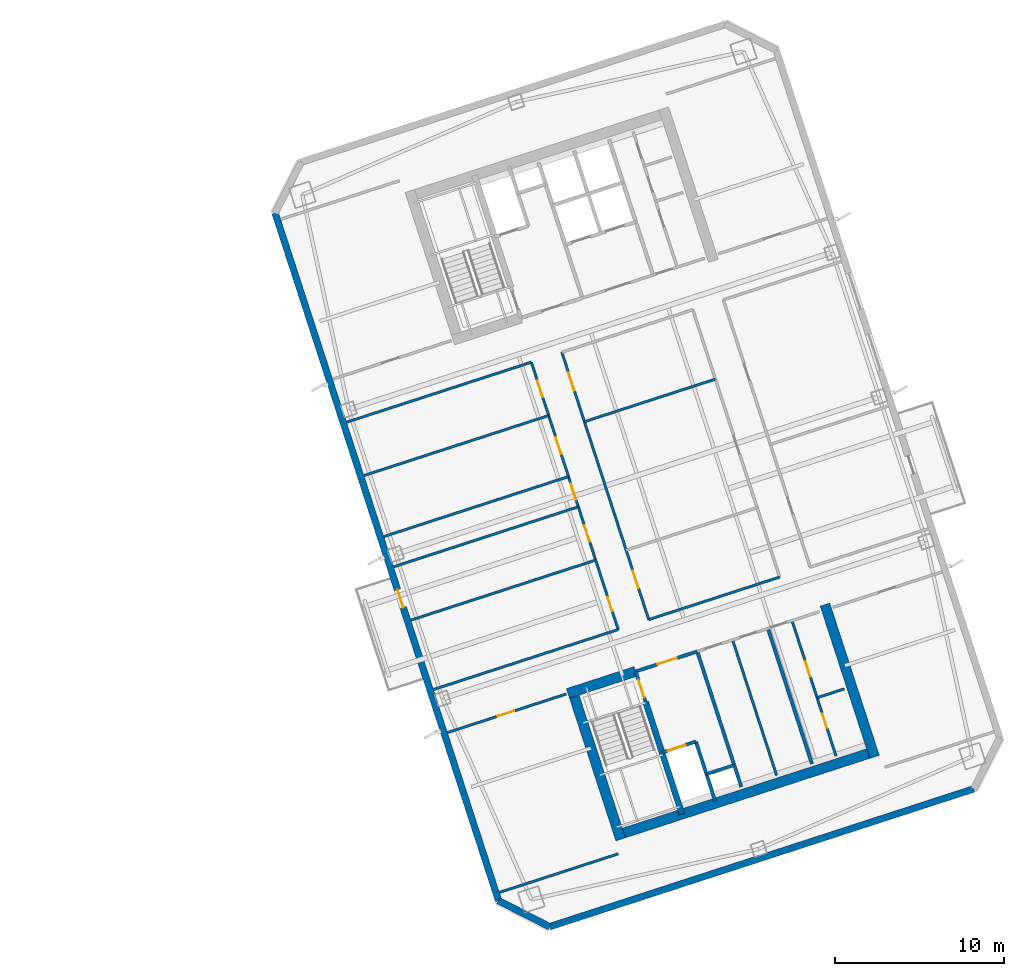
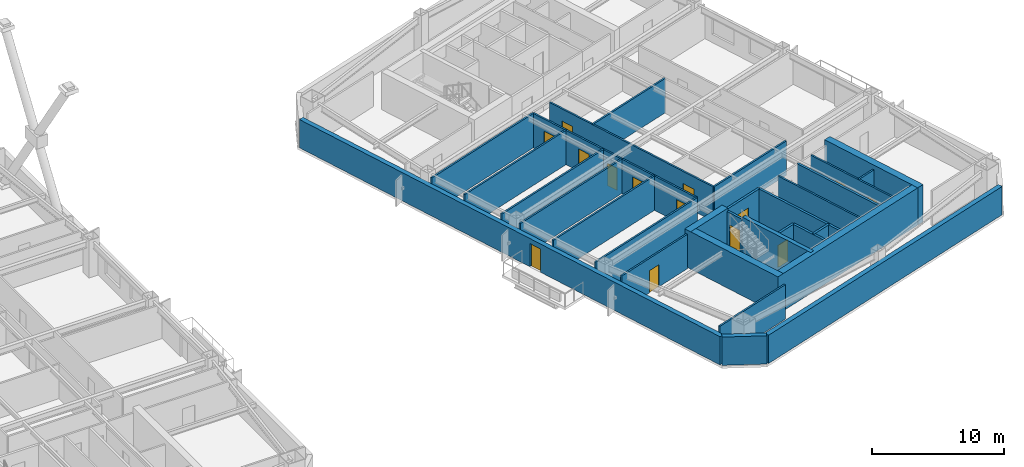
# One storey, part 9 of 18: 30 walls, 14 doors, 14 openings.
"""IFC4 building model written with IfcOpenShell, lengths in metres."""

from ifc_helpers import new_model, si_unit, direction, frame, frame_2d, origin, place, context, subcontext, project, spatial, rectangle, extrude, material, layer, layer_set, type_object, element, fill, save


model = new_model("IFC4")

# Units and contexts
model_context = context("Model", 3, precision=1e-05, world=origin(), true_north=direction((0.0, 1.0)))
body_context = subcontext(model_context, "Body", "Model", "MODEL_VIEW")
ifc_project = project(units=[si_unit("LENGTHUNIT", "METRE"), si_unit("AREAUNIT", "SQUARE_METRE"), si_unit("VOLUMEUNIT", "CUBIC_METRE"), si_unit("PLANEANGLEUNIT", "RADIAN"), si_unit("MASSUNIT", "GRAM", prefix="KILO")], contexts=[model_context])

# Site, building, storey
site_placement = place(None, origin())
site = spatial("IfcSite", under=ifc_project, at=site_placement, CompositionType="ELEMENT")
building_placement = place(site_placement, origin())
building = spatial("IfcBuilding", under=site, at=building_placement, Name="Qiaolan Cultural Towers", CompositionType="ELEMENT")
storey_placement = place(building_placement, frame((0.0, 0.0, 173.64990234375)))
storey = spatial("IfcBuildingStorey", under=building, at=storey_placement, Name="L46", CompositionType="ELEMENT", Elevation=173.64990234375)

# Walls
ifc_material_1 = material(Name="Concrete C50", Category="concrete")
ifc_layer_1 = layer(ifc_material_1, 0.35009765625)
ifc_layer_set_1 = layer_set([ifc_layer_1], Name="Concrete C50")
wall_type_1 = type_object("IfcWallType", Name="WL-CORE-350", PredefinedType="SHEAR", material=ifc_layer_set_1)
wall_1_placement = place(storey_placement, frame((90.486328125, 20.59423828125, 0.0), z_axis=(0.0, 0.0, 1.0), x_axis=(0.309020428229, -0.951055400562, 0.0)))
element("IfcWall", 1, at=wall_1_placement, inside=storey, type_object=wall_type_1, Name="L46 T2-CS Stair Core Dividing Web", PredefinedType="SHEAR", context=body_context, shape_type="SweptSolid", body=[
    extrude(rectangle(XDim=6.97998046875, YDim=0.35009765625, at=frame_2d((3.489990234375, 0.0))), origin(), (0.0, 0.0, 1.0), 3.4501953125),
])
ifc_material_2 = material(Name="Concrete C55", Category="concrete")
ifc_layer_2 = layer(ifc_material_2, 0.60009765625)
ifc_layer_set_2 = layer_set([ifc_layer_2], Name="Concrete C55")
wall_type_2 = type_object("IfcWallType", Name="WL-CORE-600", PredefinedType="SHEAR", material=ifc_layer_set_2)
wall_2_placement = place(storey_placement, frame((88.6298828125, 12.65185546875, 0.0), z_axis=(0.0, 0.0, 1.0), x_axis=(0.95105714907, 0.309015046886, 0.0)))
element("IfcWall", 2, at=wall_2_placement, inside=storey, type_object=wall_type_2, Name="L46 T2-CS Outer Core Shear Wall", PredefinedType="SHEAR", context=body_context, shape_type="SweptSolid", body=[
    extrude(rectangle(XDim=16.400146484375, YDim=0.60009765625, at=frame_2d((8.2001953125, 0.0))), origin(), (0.0, 0.0, 1.0), 3.4501953125),
])
wall_3_placement = place(storey_placement, frame((86.078369140625, 21.47509765625, 0.0), z_axis=(0.0, 0.0, 1.0), x_axis=(0.309017938678, -0.951056209472, 0.0)))
element("IfcWall", 3, at=wall_3_placement, inside=storey, type_object=wall_type_2, Name="L46 T2-CS West Core Shear Wall", PredefinedType="SHEAR", context=body_context, shape_type="SweptSolid", body=[
    extrude(rectangle(XDim=9.479736328125, YDim=0.60009765625, at=frame_2d((4.73974609375, 0.0))), origin(), (0.0, 0.0, 1.0), 3.4501953125),
])
wall_4_placement = place(storey_placement, frame((101.105224609375, 26.357666015625, 0.0), z_axis=(0.0, 0.0, 1.0), x_axis=(0.309010370028, -0.95105866865, 0.0)))
element("IfcWall", 4, at=wall_4_placement, inside=storey, type_object=wall_type_2, Name="L46 T2-CS East Core Shear Wall", PredefinedType="SHEAR", context=body_context, shape_type="SweptSolid", body=[
    extrude(rectangle(XDim=9.47998046875, YDim=0.60009765625, at=frame_2d((4.739990234375, 0.0))), origin(), (0.0, 0.0, 1.0), 3.4501953125),
])
wall_5_placement = place(storey_placement, frame((85.8857421875, 21.09716796875, 0.0), z_axis=(0.0, 0.0, 1.0), x_axis=(0.951068073652, 0.308981422225, 0.0)))
element("IfcWall", 5, at=wall_5_placement, inside=storey, type_object=wall_type_2, Name="L46 T2-CS Stair Front Shear Wall", PredefinedType="SHEAR", context=body_context, shape_type="SweptSolid", body=[
    extrude(rectangle(XDim=4.22021484375, YDim=0.60009765625, at=frame_2d((2.110107421875, 0.0))), origin(), (0.0, 0.0, 1.0), 3.4501953125),
])

# Wall, opening, door
ifc_material_3 = material(Name="Precast Concrete C50 Honed Stone Pier", Category="masonry")
ifc_layer_3 = layer(ifc_material_3, 0.39990234375)
ifc_layer_set_3 = layer_set([ifc_layer_3], Name="Precast Concrete C50 Honed Stone Pier")
wall_type_3 = type_object("IfcWallType", Name="WL-EXT-PIER-400", PredefinedType="SOLIDWALL", material=ifc_layer_set_3)
wall_6_placement = place(storey_placement, frame((81.7763671875, 8.82666015625, 0.0), z_axis=(0.0, 0.0, 1.0), x_axis=(-0.309014228706, 0.951057414911, 0.0)))
wall_6 = element("IfcWall", 6, at=wall_6_placement, inside=storey, type_object=wall_type_3, Name="L46 East Tower Precast Pier Facade Wall F1", PredefinedType="SOLIDWALL", context=body_context, shape_type="SweptSolid", body=[
    extrude(rectangle(XDim=42.800048828125, YDim=0.39990234375, at=frame_2d((21.39990234375, 0.0))), origin(), (0.0, 0.0, 1.0), 2.610107421875),
])
opening_1_placement = place(wall_6_placement, frame((18.25, 0.0, 0.0)))
opening_1 = element("IfcOpeningElement", 7, at=opening_1_placement, cuts=wall_6, Name="Opening BD-01", PredefinedType="OPENING", context=body_context, shape_type="SweptSolid", body=[
    extrude(rectangle(XDim=1.10009765625, YDim=2.14990234375, at=frame_2d((0.550048828125, 1.074951171875))), frame((0.0, 0.2099609375, 0.0), z_axis=(0.0, -1.0, 0.0), x_axis=(1.0, 0.0, 0.0)), (0.0, 0.0, 1.0), 0.419921875),
])
ifc_material_4 = material(Name="Thermally Broken Aluminium Glazed Terrace Door", Category="aluminium")
door_type_1 = type_object("IfcDoorType", Name="DR-BAL-1100", OperationType="NOTDEFINED", PredefinedType="DOOR", material=ifc_material_4)
door_1_placement = place(opening_1_placement, origin())
door_1 = element("IfcDoor", 8, at=door_1_placement, inside=storey, type_object=door_type_1, Name="L46 T2 West Tree Balcony Door", OperationType="SINGLE_SWING_LEFT", OverallHeight=2.14990234375, OverallWidth=1.10009765625, PredefinedType="DOOR", context=body_context, shape_type="SweptSolid", body=[
    extrude(rectangle(XDim=1.10009765625, YDim=2.14990234375, at=frame_2d((0.550048828125, 1.074951171875))), frame((0.0, 0.02490234375, 0.0), z_axis=(0.0, -1.0, 0.0), x_axis=(1.0, 0.0, 0.0)), (0.0, 0.0, 1.0), 0.050048828125),
])
fill(opening_1, door_1)

# Walls
wall_7_placement = place(storey_placement, frame((109.908447265625, 15.44384765625, 0.0), z_axis=(0.0, 0.0, 1.0), x_axis=(-0.951057580055, -0.30901372044, 0.0)))
element("IfcWall", 9, at=wall_7_placement, inside=storey, type_object=wall_type_3, Name="L46 East Tower Precast Pier Facade Wall F7", PredefinedType="SOLIDWALL", context=body_context, shape_type="SweptSolid", body=[
    extrude(rectangle(XDim=26.39990234375, YDim=0.39990234375, at=frame_2d((13.199951171875, 0.0))), origin(), (0.0, 0.0, 1.0), 2.610107421875),
])
wall_8_placement = place(storey_placement, frame((84.800537109375, 7.285888671875, 0.0), z_axis=(0.0, 0.0, 1.0), x_axis=(-0.891020832027, 0.453962417932, 0.0)))
element("IfcWall", 10, at=wall_8_placement, inside=storey, type_object=wall_type_3, Name="L46 East Tower Precast Pier Facade Wall F8", PredefinedType="SOLIDWALL", context=body_context, shape_type="SweptSolid", body=[
    extrude(rectangle(XDim=3.39404296875, YDim=0.39990234375, at=frame_2d((1.697021484375, 0.0))), origin(), (0.0, 0.0, 1.0), 2.610107421875),
])

# Wall, opening, door
ifc_material_5 = material(Name="Concrete C35 Fire Wall", Category="concrete")
ifc_layer_4 = layer(ifc_material_5, 0.199951171875)
ifc_layer_set_4 = layer_set([ifc_layer_4], Name="Concrete C35 Fire Wall")
wall_type_4 = type_object("IfcWallType", Name="WL-FIRE-200", PredefinedType="PARTITIONING", material=ifc_layer_set_4)
wall_9_placement = place(storey_placement, frame((89.8994140625, 22.401123046875, 0.0), z_axis=(0.0, 0.0, 1.0), x_axis=(0.308932062672, -0.951084108086, 0.0)))
wall_9 = element("IfcWall", 11, at=wall_9_placement, inside=storey, type_object=wall_type_4, Name="L46 T2-CS Smokeproof Stair Entry Wall", PredefinedType="PARTITIONING", context=body_context, shape_type="SweptSolid", body=[
    extrude(rectangle(XDim=1.89990234375, YDim=0.199951171875, at=frame_2d((0.949951171875, 0.0))), origin(), (0.0, 0.0, 1.0), 3.175048828125),
])
opening_2_placement = place(wall_9_placement, frame((0.52001953125, 0.0, 0.0)))
opening_2 = element("IfcOpeningElement", 12, at=opening_2_placement, cuts=wall_9, Name="Opening FD-04", PredefinedType="OPENING", context=body_context, shape_type="SweptSolid", body=[
    extrude(rectangle(XDim=1.10009765625, YDim=2.050048828125, at=frame_2d((0.550048828125, 1.02490234375))), frame((0.0, 0.10986328125, 0.0), z_axis=(0.0, -1.0, 0.0), x_axis=(1.0, 0.0, 0.0)), (0.0, 0.0, 1.0), 0.219970703125),
])
ifc_material_6 = material(Name="Galvanized Steel Command Fire Door", Category="steel")
door_type_2 = type_object("IfcDoorType", Name="DR-FD90-1100", OperationType="NOTDEFINED", PredefinedType="DOOR", material=ifc_material_6)
door_2_placement = place(opening_2_placement, origin())
door_2 = element("IfcDoor", 13, at=door_2_placement, inside=storey, type_object=door_type_2, Name="L46 ST-E1 Smokeproof Stair Fire Door", OperationType="SINGLE_SWING_LEFT", OverallHeight=2.050048828125, OverallWidth=1.10009765625, PredefinedType="DOOR", context=body_context, shape_type="SweptSolid", body=[
    extrude(rectangle(XDim=1.10009765625, YDim=2.050048828125, at=frame_2d((0.550048828125, 1.02490234375))), frame((0.0, 0.02490234375, 0.0), z_axis=(0.0, -1.0, 0.0), x_axis=(1.0, 0.0, 0.0)), (0.0, 0.0, 1.0), 0.050048828125),
])
fill(opening_2, door_2)

# Wall
wall_10_placement = place(storey_placement, frame((93.541748046875, 23.584716796875, 0.0), z_axis=(0.0, 0.0, 1.0), x_axis=(0.309042196757, -0.951048327176, 0.0)))
element("IfcWall", 14, at=wall_10_placement, inside=storey, type_object=wall_type_4, Name="L46 T2-CS Firefighting Zone Wall", PredefinedType="PARTITIONING", context=body_context, shape_type="SweptSolid", body=[
    extrude(rectangle(XDim=8.429931640625, YDim=0.199951171875, at=frame_2d((4.21484375, 0.0))), origin(), (0.0, 0.0, 1.0), 3.175048828125),
])

# Wall, opening, door
wall_11_placement = place(storey_placement, frame((89.8994140625, 22.401123046875, 0.0), z_axis=(0.0, 0.0, 1.0), x_axis=(0.951046716504, 0.309047153403, 0.0)))
wall_11 = element("IfcWall", 15, at=wall_11_placement, inside=storey, type_object=wall_type_4, Name="L46 T2-CS Firefighting Lobby Front Wall", PredefinedType="PARTITIONING", context=body_context, shape_type="SweptSolid", body=[
    extrude(rectangle(XDim=3.829833984375, YDim=0.199951171875, at=frame_2d((1.9150390625, 0.0))), origin(), (0.0, 0.0, 1.0), 3.175048828125),
])
opening_3_placement = place(wall_11_placement, frame((1.35009765625, 0.0, 0.0)))
opening_3 = element("IfcOpeningElement", 16, at=opening_3_placement, cuts=wall_11, Name="Opening FD-03", PredefinedType="OPENING", context=body_context, shape_type="SweptSolid", body=[
    extrude(rectangle(XDim=1.199951171875, YDim=2.050048828125, at=frame_2d((0.60009765625, 1.02490234375))), frame((0.0, 0.10986328125, 0.0), z_axis=(0.0, -1.0, 0.0), x_axis=(1.0, 0.0, 0.0)), (0.0, 0.0, 1.0), 0.219970703125),
])
ifc_material_7 = material(Name="Galvanized Steel Smokeproof Lobby Fire Door", Category="steel")
door_type_3 = type_object("IfcDoorType", Name="DR-FD90-1200", OperationType="NOTDEFINED", PredefinedType="DOOR", material=ifc_material_7)
door_3_placement = place(opening_3_placement, origin())
door_3 = element("IfcDoor", 17, at=door_3_placement, inside=storey, type_object=door_type_3, Name="L46 FFL-E1 Firefighting Lobby Fire Door", OperationType="SINGLE_SWING_LEFT", OverallHeight=2.050048828125, OverallWidth=1.199951171875, PredefinedType="DOOR", context=body_context, shape_type="SweptSolid", body=[
    extrude(rectangle(XDim=1.199951171875, YDim=2.050048828125, at=frame_2d((0.60009765625, 1.02490234375))), frame((0.0, 0.02490234375, 0.0), z_axis=(0.0, -1.0, 0.0), x_axis=(1.0, 0.0, 0.0)), (0.0, 0.0, 1.0), 0.050048828125),
])
fill(opening_3, door_3)

wall_12_placement = place(storey_placement, frame((91.459716796875, 17.598388671875, 0.0), z_axis=(0.0, 0.0, 1.0), x_axis=(0.951062257173, 0.308999325213, 0.0)))
wall_12 = element("IfcWall", 18, at=wall_12_placement, inside=storey, type_object=wall_type_4, Name="L46 T2-CS Firefighting Shaft Front Wall", PredefinedType="PARTITIONING", context=body_context, shape_type="SweptSolid", body=[
    extrude(rectangle(XDim=2.10009765625, YDim=0.199951171875, at=frame_2d((1.050048828125, 0.0))), origin(), (0.0, 0.0, 1.0), 3.175048828125),
])
opening_4_placement = place(wall_12_placement, frame((0.35009765625, 0.0, 0.0)))
opening_4 = element("IfcOpeningElement", 19, at=opening_4_placement, cuts=wall_12, Name="Opening LD-01", PredefinedType="OPENING", context=body_context, shape_type="SweptSolid", body=[
    extrude(rectangle(XDim=1.10009765625, YDim=2.050048828125, at=frame_2d((0.550048828125, 1.02490234375))), frame((0.0, 0.10986328125, 0.0), z_axis=(0.0, -1.0, 0.0), x_axis=(1.0, 0.0, 0.0)), (0.0, 0.0, 1.0), 0.219970703125),
])
ifc_material_8 = material(Name="Brushed Stainless Steel S30408 Centre-Parting Lift Landing Door", Category="steel")
door_type_4 = type_object("IfcDoorType", Name="DR-LIFT-1100", OperationType="NOTDEFINED", PredefinedType="DOOR", material=ifc_material_8)
door_4_placement = place(opening_4_placement, origin())
door_4 = element("IfcDoor", 20, at=door_4_placement, inside=storey, type_object=door_type_4, Name="L46 FFL-E1 Firefighting Lift Landing Door", OperationType="DOUBLE_DOOR_SLIDING", OverallHeight=2.050048828125, OverallWidth=1.10009765625, PredefinedType="DOOR", context=body_context, shape_type="SweptSolid", body=[
    extrude(rectangle(XDim=1.10009765625, YDim=2.050048828125, at=frame_2d((0.550048828125, 1.02490234375))), frame((0.0, 0.02490234375, 0.0), z_axis=(0.0, -1.0, 0.0), x_axis=(1.0, 0.0, 0.0)), (0.0, 0.0, 1.0), 0.050048828125),
])
fill(opening_4, door_4)

# Walls
wall_13_placement = place(storey_placement, frame((93.45703125, 18.247314453125, 0.0), z_axis=(0.0, 0.0, 1.0), x_axis=(0.3089935693, -0.951064127245, 0.0)))
element("IfcWall", 21, at=wall_13_placement, inside=storey, type_object=wall_type_4, Name="L46 T2-CS Firefighting Hoistway East Wall", PredefinedType="PARTITIONING", context=body_context, shape_type="SweptSolid", body=[
    extrude(rectangle(XDim=3.7001953125, YDim=0.199951171875, at=frame_2d((1.85009765625, 0.0))), origin(), (0.0, 0.0, 1.0), 3.175048828125),
])
wall_14_placement = place(storey_placement, frame((94.08447265625, 16.316650390625, 0.0), z_axis=(0.0, 0.0, 1.0), x_axis=(0.951041328149, 0.309063734775, 0.0)))
element("IfcWall", 22, at=wall_14_placement, inside=storey, type_object=wall_type_4, Name="L46 T2-CS Pressurization Shaft Front Wall", PredefinedType="PARTITIONING", context=body_context, shape_type="SweptSolid", body=[
    extrude(rectangle(XDim=1.72998046875, YDim=0.199951171875, at=frame_2d((0.864990234375, 0.0))), origin(), (0.0, 0.0, 1.0), 3.175048828125),
])
wall_15_placement = place(storey_placement, frame((97.7265625, 24.9443359375, 0.0), z_axis=(0.0, 0.0, 1.0), x_axis=(0.309016001439, -0.951056838919, 0.0)))
element("IfcWall", 23, at=wall_15_placement, inside=storey, type_object=wall_type_4, Name="L46 T2-CS Lift Core East Wall", PredefinedType="PARTITIONING", context=body_context, shape_type="SweptSolid", body=[
    extrude(rectangle(XDim=8.429931640625, YDim=0.199951171875, at=frame_2d((4.21484375, 0.0))), origin(), (0.0, 0.0, 1.0), 3.175048828125),
])
ifc_material_9 = material(Name="Autoclaved Aerated Concrete Block B06", Category="concrete")
ifc_layer_5 = layer(ifc_material_9, 0.14990234375)
ifc_layer_set_5 = layer_set([ifc_layer_5], Name="Autoclaved Aerated Concrete Block B06")
wall_type_5 = type_object("IfcWallType", Name="WL-PART-150", PredefinedType="PARTITIONING", material=ifc_layer_set_5)
wall_16_placement = place(storey_placement, frame((95.63427734375, 24.2646484375, 0.0), z_axis=(0.0, 0.0, 1.0), x_axis=(0.309007490203, -0.951059604335, 0.0)))
element("IfcWall", 24, at=wall_16_placement, inside=storey, type_object=wall_type_5, Name="L46 T2-CS Reclaimed Twin Room Wall", PredefinedType="PARTITIONING", context=body_context, shape_type="SweptSolid", body=[
    extrude(rectangle(XDim=8.43017578125, YDim=0.14990234375, at=frame_2d((4.215087890625, 0.0))), origin(), (0.0, 0.0, 1.0), 3.175048828125),
])

# Wall, openings, doors
wall_17_placement = place(storey_placement, frame((99.153076171875, 25.407958984375, 0.0), z_axis=(0.0, 0.0, 1.0), x_axis=(0.309016001439, -0.951056838919, 0.0)))
wall_17 = element("IfcWall", 25, at=wall_17_placement, inside=storey, type_object=wall_type_5, Name="L46 T2-CS Washroom Split Wall", PredefinedType="PARTITIONING", context=body_context, shape_type="SweptSolid", body=[
    extrude(rectangle(XDim=8.429931640625, YDim=0.14990234375, at=frame_2d((4.21484375, 0.0))), origin(), (0.0, 0.0, 1.0), 3.175048828125),
])
opening_5_placement = place(wall_17_placement, frame((2.550048828125, 0.0, 0.0)))
opening_5 = element("IfcOpeningElement", 26, at=opening_5_placement, cuts=wall_17, Name="Opening ID-05", PredefinedType="OPENING", context=body_context, shape_type="SweptSolid", body=[
    extrude(rectangle(XDim=0.949951171875, YDim=2.050048828125, at=frame_2d((0.47509765625, 1.02490234375))), frame((0.0, 0.0849609375, 0.0), z_axis=(0.0, -1.0, 0.0), x_axis=(1.0, 0.0, 0.0)), (0.0, 0.0, 1.0), 0.169921875),
])
opening_6_placement = place(wall_17_placement, frame((5.800048828125, 0.0, 0.0)))
opening_6 = element("IfcOpeningElement", 27, at=opening_6_placement, cuts=wall_17, Name="Opening ID-06", PredefinedType="OPENING", context=body_context, shape_type="SweptSolid", body=[
    extrude(rectangle(XDim=0.89990234375, YDim=2.050048828125, at=frame_2d((0.449951171875, 1.02490234375))), frame((0.0, 0.0849609375, 0.0), z_axis=(0.0, -1.0, 0.0), x_axis=(1.0, 0.0, 0.0)), (0.0, 0.0, 1.0), 0.169921875),
])
ifc_material_10 = material(Name="Fire-Rated Laminate Core Service Door", Category="timber")
door_type_5 = type_object("IfcDoorType", Name="DR-INT-900", OperationType="NOTDEFINED", PredefinedType="DOOR", material=ifc_material_10)
door_5_placement = place(opening_6_placement, origin())
door_5 = element("IfcDoor", 28, at=door_5_placement, inside=storey, type_object=door_type_5, Name="L46 First-Aid Room Door", OperationType="SINGLE_SWING_RIGHT", OverallHeight=2.050048828125, OverallWidth=0.89990234375, PredefinedType="DOOR", context=body_context, shape_type="SweptSolid", body=[
    extrude(rectangle(XDim=0.89990234375, YDim=2.050048828125, at=frame_2d((0.449951171875, 1.02490234375))), frame((0.0, 0.02490234375, 0.0), z_axis=(0.0, -1.0, 0.0), x_axis=(1.0, 0.0, 0.0)), (0.0, 0.0, 1.0), 0.050048828125),
])
fill(opening_6, door_5)
ifc_material_11 = material(Name="Fire-Rated Laminate Accessible Core Door", Category="timber")
door_type_6 = type_object("IfcDoorType", Name="DR-INT-950", OperationType="NOTDEFINED", PredefinedType="DOOR", material=ifc_material_11)
door_6_placement = place(opening_5_placement, origin())
door_6 = element("IfcDoor", 29, at=door_6_placement, inside=storey, type_object=door_type_6, Name="L46 Accessible Washroom Door", OperationType="SINGLE_SWING_LEFT", OverallHeight=2.050048828125, OverallWidth=0.949951171875, PredefinedType="DOOR", context=body_context, shape_type="SweptSolid", body=[
    extrude(rectangle(XDim=0.949951171875, YDim=2.050048828125, at=frame_2d((0.47509765625, 1.02490234375))), frame((0.0, 0.02490234375, 0.0), z_axis=(0.0, -1.0, 0.0), x_axis=(1.0, 0.0, 0.0)), (0.0, 0.0, 1.0), 0.050048828125),
])
fill(opening_5, door_6)

# Walls
wall_18_placement = place(storey_placement, frame((100.636474609375, 20.8427734375, 0.0), z_axis=(0.0, 0.0, 1.0), x_axis=(0.951040401051, 0.309066587596, 0.0)))
element("IfcWall", 30, at=wall_18_placement, inside=storey, type_object=wall_type_5, Name="L46 T2-CS First-Aid Wall", PredefinedType="PARTITIONING", context=body_context, shape_type="SweptSolid", body=[
    extrude(rectangle(XDim=1.699951171875, YDim=0.14990234375, at=frame_2d((0.85009765625, 0.0))), origin(), (0.0, 0.0, 1.0), 3.175048828125),
])
wall_19_placement = place(storey_placement, frame((81.82763671875, 9.31640625, 0.0), z_axis=(0.0, 0.0, 1.0), x_axis=(0.95105128112, 0.309033106124, 0.0)))
element("IfcWall", 31, at=wall_19_placement, inside=storey, type_object=wall_type_5, Name="L46 T2 Flank Wall FLK-SW", PredefinedType="PARTITIONING", context=body_context, shape_type="SweptSolid", body=[
    extrude(rectangle(XDim=7.400146484375, YDim=0.14990234375, at=frame_2d((3.7001953125, 0.0))), origin(), (0.0, 0.0, 1.0), 3.175048828125),
])

# Wall, opening, door
wall_20_placement = place(storey_placement, frame((78.7529296875, 18.779541015625, 0.0), z_axis=(0.0, 0.0, 1.0), x_axis=(0.951060977215, 0.309003264738, 0.0)))
wall_20 = element("IfcWall", 32, at=wall_20_placement, inside=storey, type_object=wall_type_5, Name="L46 T2 Flank Front FLK-SW", PredefinedType="PARTITIONING", context=body_context, shape_type="SweptSolid", body=[
    extrude(rectangle(XDim=7.39990234375, YDim=0.14990234375, at=frame_2d((3.699951171875, 0.0))), origin(), (0.0, 0.0, 1.0), 3.175048828125),
])
opening_7_placement = place(wall_20_placement, frame((3.10791015625, 0.0, 0.0)))
opening_7 = element("IfcOpeningElement", 33, at=opening_7_placement, cuts=wall_20, Name="Opening ID-07", PredefinedType="OPENING", context=body_context, shape_type="SweptSolid", body=[
    extrude(rectangle(XDim=1.050048828125, YDim=2.050048828125, at=frame_2d((0.52490234375, 1.02490234375))), frame((0.0, 0.0849609375, 0.0), z_axis=(0.0, -1.0, 0.0), x_axis=(1.0, 0.0, 0.0)), (0.0, 0.0, 1.0), 0.169921875),
])
ifc_material_12 = material(Name="Oak Veneer Consultation Door", Category="timber")
door_type_7 = type_object("IfcDoorType", Name="DR-INT-1050", OperationType="NOTDEFINED", PredefinedType="DOOR", material=ifc_material_12)
door_7_placement = place(opening_7_placement, origin())
door_7 = element("IfcDoor", 34, at=door_7_placement, inside=storey, type_object=door_type_7, Name="L46 T2 Corner Studio Door", OperationType="SINGLE_SWING_LEFT", OverallHeight=2.050048828125, OverallWidth=1.050048828125, PredefinedType="DOOR", context=body_context, shape_type="SweptSolid", body=[
    extrude(rectangle(XDim=1.050048828125, YDim=2.050048828125, at=frame_2d((0.52490234375, 1.02490234375))), frame((0.0, 0.02490234375, 0.0), z_axis=(0.0, -1.0, 0.0), x_axis=(1.0, 0.0, 0.0)), (0.0, 0.0, 1.0), 0.050048828125),
])
fill(opening_7, door_7)

# Walls
wall_21_placement = place(storey_placement, frame((77.9248046875, 21.328369140625, 0.0), z_axis=(0.0, 0.0, 1.0), x_axis=(0.951054972381, 0.309021746015, 0.0)))
element("IfcWall", 35, at=wall_21_placement, inside=storey, type_object=wall_type_5, Name="L46 T2 Interior Wall", PredefinedType="PARTITIONING", context=body_context, shape_type="SweptSolid", body=[
    extrude(rectangle(XDim=11.499755859375, YDim=0.14990234375, at=frame_2d((5.75, 0.0))), origin(), (0.0, 0.0, 1.0), 3.175048828125),
])
wall_22_placement = place(storey_placement, frame((90.6689453125, 25.46923828125, 0.0), z_axis=(0.0, 0.0, 1.0), x_axis=(0.95106136293, 0.309002077568, 0.0)))
element("IfcWall", 36, at=wall_22_placement, inside=storey, type_object=wall_type_5, Name="L46 T2 Interior Wall", PredefinedType="PARTITIONING", context=body_context, shape_type="SweptSolid", body=[
    extrude(rectangle(XDim=8.14990234375, YDim=0.14990234375, at=frame_2d((4.074951171875, 0.0))), origin(), (0.0, 0.0, 1.0), 3.175048828125),
])
wall_23_placement = place(storey_placement, frame((72.78271484375, 37.15380859375, 0.0), z_axis=(0.0, 0.0, 1.0), x_axis=(0.951056999652, 0.309015506751, 0.0)))
element("IfcWall", 37, at=wall_23_placement, inside=storey, type_object=wall_type_5, Name="L46 T2 Interior Wall", PredefinedType="PARTITIONING", context=body_context, shape_type="SweptSolid", body=[
    extrude(rectangle(XDim=11.5, YDim=0.14990234375, at=frame_2d((5.75, 0.0))), origin(), (0.0, 0.0, 1.0), 3.175048828125),
])

# Wall, openings, doors
wall_24_placement = place(storey_placement, frame((88.86181640625, 24.882080078125, 0.0), z_axis=(0.0, 0.0, 1.0), x_axis=(-0.309008771245, 0.951059188113, 0.0)))
wall_24 = element("IfcWall", 38, at=wall_24_placement, inside=storey, type_object=wall_type_5, Name="L46 T2 Interior Wall", PredefinedType="PARTITIONING", context=body_context, shape_type="SweptSolid", body=[
    extrude(rectangle(XDim=16.639892578125, YDim=0.14990234375, at=frame_2d((8.31982421875, 0.0))), origin(), (0.0, 0.0, 1.0), 3.175048828125),
])
opening_8_placement = place(wall_24_placement, frame((1.159912109375, 0.0, 0.0)))
opening_8 = element("IfcOpeningElement", 39, at=opening_8_placement, cuts=wall_24, Name="Opening ID-09", PredefinedType="OPENING", context=body_context, shape_type="SweptSolid", body=[
    extrude(rectangle(XDim=0.85009765625, YDim=2.050048828125, at=frame_2d((0.425048828125, 1.02490234375))), frame((0.0, 0.0849609375, 0.0), z_axis=(0.0, -1.0, 0.0), x_axis=(1.0, 0.0, 0.0)), (0.0, 0.0, 1.0), 0.169921875),
])
opening_9_placement = place(wall_24_placement, frame((5.47998046875, 0.0, 0.0)))
opening_9 = element("IfcOpeningElement", 40, at=opening_9_placement, cuts=wall_24, Name="Opening ID-04", PredefinedType="OPENING", context=body_context, shape_type="SweptSolid", body=[
    extrude(rectangle(XDim=1.0, YDim=2.050048828125, at=frame_2d((0.5, 1.02490234375))), frame((0.0, 0.0849609375, 0.0), z_axis=(0.0, -1.0, 0.0), x_axis=(1.0, 0.0, 0.0)), (0.0, 0.0, 1.0), 0.169921875),
])
opening_10_placement = place(wall_24_placement, frame((8.080078125, 0.0, 0.0)))
opening_10 = element("IfcOpeningElement", 41, at=opening_10_placement, cuts=wall_24, Name="Opening ID-04", PredefinedType="OPENING", context=body_context, shape_type="SweptSolid", body=[
    extrude(rectangle(XDim=1.0, YDim=2.050048828125, at=frame_2d((0.5, 1.02490234375))), frame((0.0, 0.0849609375, 0.0), z_axis=(0.0, -1.0, 0.0), x_axis=(1.0, 0.0, 0.0)), (0.0, 0.0, 1.0), 0.169921875),
])
opening_11_placement = place(wall_24_placement, frame((10.919921875, 0.0, 0.0)))
opening_11 = element("IfcOpeningElement", 42, at=opening_11_placement, cuts=wall_24, Name="Opening ID-07", PredefinedType="OPENING", context=body_context, shape_type="SweptSolid", body=[
    extrude(rectangle(XDim=1.050048828125, YDim=2.050048828125, at=frame_2d((0.52490234375, 1.02490234375))), frame((0.0, 0.0849609375, 0.0), z_axis=(0.0, -1.0, 0.0), x_axis=(1.0, 0.0, 0.0)), (0.0, 0.0, 1.0), 0.169921875),
])
opening_12_placement = place(wall_24_placement, frame((14.47998046875, 0.0, 0.0)))
opening_12 = element("IfcOpeningElement", 43, at=opening_12_placement, cuts=wall_24, Name="Opening ID-04", PredefinedType="OPENING", context=body_context, shape_type="SweptSolid", body=[
    extrude(rectangle(XDim=1.0, YDim=2.050048828125, at=frame_2d((0.5, 1.02490234375))), frame((0.0, 0.0849609375, 0.0), z_axis=(0.0, -1.0, 0.0), x_axis=(1.0, 0.0, 0.0)), (0.0, 0.0, 1.0), 0.169921875),
])
ifc_material_13 = material(Name="Oak Veneer Acoustic Office Door", Category="timber")
door_type_8 = type_object("IfcDoorType", Name="DR-INT-1000", OperationType="NOTDEFINED", PredefinedType="DOOR", material=ifc_material_13)
door_8_placement = place(opening_9_placement, origin())
door_8 = element("IfcDoor", 44, at=door_8_placement, inside=storey, type_object=door_type_8, Name="L46 T2 Sound Kitchenette Door", OperationType="SINGLE_SWING_LEFT", OverallHeight=2.050048828125, OverallWidth=1.0, PredefinedType="DOOR", context=body_context, shape_type="SweptSolid", body=[
    extrude(rectangle(XDim=1.0, YDim=2.050048828125, at=frame_2d((0.5, 1.02490234375))), frame((0.0, 0.02490234375, 0.0), z_axis=(0.0, -1.0, 0.0), x_axis=(1.0, 0.0, 0.0)), (0.0, 0.0, 1.0), 0.050048828125),
])
fill(opening_9, door_8)
door_9_placement = place(opening_10_placement, origin())
door_9 = element("IfcDoor", 45, at=door_9_placement, inside=storey, type_object=door_type_8, Name="L46 T2 Sound Kitchenette Door", OperationType="SINGLE_SWING_RIGHT", OverallHeight=2.050048828125, OverallWidth=1.0, PredefinedType="DOOR", context=body_context, shape_type="SweptSolid", body=[
    extrude(rectangle(XDim=1.0, YDim=2.050048828125, at=frame_2d((0.5, 1.02490234375))), frame((0.0, 0.02490234375, 0.0), z_axis=(0.0, -1.0, 0.0), x_axis=(1.0, 0.0, 0.0)), (0.0, 0.0, 1.0), 0.050048828125),
])
fill(opening_10, door_9)
door_10_placement = place(opening_12_placement, origin())
door_10 = element("IfcDoor", 46, at=door_10_placement, inside=storey, type_object=door_type_8, Name="L46 T2 Media Bookshop Door", OperationType="SINGLE_SWING_RIGHT", OverallHeight=2.050048828125, OverallWidth=1.0, PredefinedType="DOOR", context=body_context, shape_type="SweptSolid", body=[
    extrude(rectangle(XDim=1.0, YDim=2.050048828125, at=frame_2d((0.5, 1.02490234375))), frame((0.0, 0.02490234375, 0.0), z_axis=(0.0, -1.0, 0.0), x_axis=(1.0, 0.0, 0.0)), (0.0, 0.0, 1.0), 0.050048828125),
])
fill(opening_12, door_10)
door_11_placement = place(opening_11_placement, origin())
door_11 = element("IfcDoor", 47, at=door_11_placement, inside=storey, type_object=door_type_7, Name="L46 T2 Media Lounge Door", OperationType="SINGLE_SWING_LEFT", OverallHeight=2.050048828125, OverallWidth=1.050048828125, PredefinedType="DOOR", context=body_context, shape_type="SweptSolid", body=[
    extrude(rectangle(XDim=1.050048828125, YDim=2.050048828125, at=frame_2d((0.52490234375, 1.02490234375))), frame((0.0, 0.02490234375, 0.0), z_axis=(0.0, -1.0, 0.0), x_axis=(1.0, 0.0, 0.0)), (0.0, 0.0, 1.0), 0.050048828125),
])
fill(opening_11, door_11)
ifc_material_14 = material(Name="Moisture-Resistant Laminate Utility Door", Category="timber")
door_type_9 = type_object("IfcDoorType", Name="DR-INT-850", OperationType="NOTDEFINED", PredefinedType="DOOR", material=ifc_material_14)
door_12_placement = place(opening_8_placement, origin())
door_12 = element("IfcDoor", 48, at=door_12_placement, inside=storey, type_object=door_type_9, Name="L46 T2 Digital Media Gallery Door", OperationType="SINGLE_SWING_LEFT", OverallHeight=2.050048828125, OverallWidth=0.85009765625, PredefinedType="DOOR", context=body_context, shape_type="SweptSolid", body=[
    extrude(rectangle(XDim=0.85009765625, YDim=2.050048828125, at=frame_2d((0.425048828125, 1.02490234375))), frame((0.0, 0.02490234375, 0.0), z_axis=(0.0, -1.0, 0.0), x_axis=(1.0, 0.0, 0.0)), (0.0, 0.0, 1.0), 0.050048828125),
])
fill(opening_8, door_12)

wall_25_placement = place(storey_placement, frame((90.6689453125, 25.46923828125, 0.0), z_axis=(0.0, 0.0, 1.0), x_axis=(-0.309022042254, 0.951054876125, 0.0)))
wall_25 = element("IfcWall", 49, at=wall_25_placement, inside=storey, type_object=wall_type_5, Name="L46 T2 Interior Wall", PredefinedType="PARTITIONING", context=body_context, shape_type="SweptSolid", body=[
    extrude(rectangle(XDim=16.639892578125, YDim=0.14990234375, at=frame_2d((8.31982421875, 0.0))), origin(), (0.0, 0.0, 1.0), 3.175048828125),
])
opening_13_placement = place(wall_25_placement, frame((1.944091796875, 0.0, 0.0)))
opening_13 = element("IfcOpeningElement", 50, at=opening_13_placement, cuts=wall_25, Name="Opening ID-03", PredefinedType="OPENING", context=body_context, shape_type="SweptSolid", body=[
    extrude(rectangle(XDim=1.10009765625, YDim=2.050048828125, at=frame_2d((0.550048828125, 1.02490234375))), frame((0.0, 0.0849609375, 0.0), z_axis=(0.0, -1.0, 0.0), x_axis=(1.0, 0.0, 0.0)), (0.0, 0.0, 1.0), 0.169921875),
])
opening_14_placement = place(wall_25_placement, frame((14.263916015625, 0.0, 0.0)))
opening_14 = element("IfcOpeningElement", 51, at=opening_14_placement, cuts=wall_25, Name="Opening ID-03", PredefinedType="OPENING", context=body_context, shape_type="SweptSolid", body=[
    extrude(rectangle(XDim=1.10009765625, YDim=2.050048828125, at=frame_2d((0.550048828125, 1.02490234375))), frame((0.0, 0.0849609375, 0.0), z_axis=(0.0, -1.0, 0.0), x_axis=(1.0, 0.0, 0.0)), (0.0, 0.0, 1.0), 0.169921875),
])
ifc_material_15 = material(Name="Oak Veneer Solid-Core Boardroom Door", Category="timber")
door_type_10 = type_object("IfcDoorType", Name="DR-INT-1100", OperationType="NOTDEFINED", PredefinedType="DOOR", material=ifc_material_15)
door_13_placement = place(opening_13_placement, origin())
door_13 = element("IfcDoor", 52, at=door_13_placement, inside=storey, type_object=door_type_10, Name="L46 T2 Central Boardroom Door", OperationType="SINGLE_SWING_LEFT", OverallHeight=2.050048828125, OverallWidth=1.10009765625, PredefinedType="DOOR", context=body_context, shape_type="SweptSolid", body=[
    extrude(rectangle(XDim=1.10009765625, YDim=2.050048828125, at=frame_2d((0.550048828125, 1.02490234375))), frame((0.0, 0.02490234375, 0.0), z_axis=(0.0, -1.0, 0.0), x_axis=(1.0, 0.0, 0.0)), (0.0, 0.0, 1.0), 0.050048828125),
])
fill(opening_13, door_13)
door_14_placement = place(opening_14_placement, origin())
door_14 = element("IfcDoor", 53, at=door_14_placement, inside=storey, type_object=door_type_10, Name="L46 T2 Central Archive Room Door", OperationType="SINGLE_SWING_RIGHT", OverallHeight=2.050048828125, OverallWidth=1.10009765625, PredefinedType="DOOR", context=body_context, shape_type="SweptSolid", body=[
    extrude(rectangle(XDim=1.10009765625, YDim=2.050048828125, at=frame_2d((0.550048828125, 1.02490234375))), frame((0.0, 0.02490234375, 0.0), z_axis=(0.0, -1.0, 0.0), x_axis=(1.0, 0.0, 0.0)), (0.0, 0.0, 1.0), 0.050048828125),
])
fill(opening_14, door_14)

# Walls
wall_26_placement = place(storey_placement, frame((86.86181640625, 37.186279296875, 0.0), z_axis=(0.0, 0.0, 1.0), x_axis=(0.95106422313, 0.308993274169, 0.0)))
element("IfcWall", 54, at=wall_26_placement, inside=storey, type_object=wall_type_5, Name="L46 T2 Interior Wall", PredefinedType="PARTITIONING", context=body_context, shape_type="SweptSolid", body=[
    extrude(rectangle(XDim=8.150146484375, YDim=0.14990234375, at=frame_2d((4.0751953125, 0.0))), origin(), (0.0, 0.0, 1.0), 3.175048828125),
])
for number, where, z_axis, x_axis, name in (
    (55, (76.58984375, 25.43701171875, 0.0), (0.0, 0.0, 1.0), (0.951054972381, 0.309021746015, 0.0), "L46 T2 Interior Wall"),
    (56, (75.56396484375, 28.594482421875, 0.0), (0.0, 0.0, 1.0), (0.951054972381, 0.309021746015, 0.0), "L46 T2 Interior Wall"),
):
    element("IfcWall", number, at=place(storey_placement, frame(where, z_axis=z_axis, x_axis=x_axis)), inside=storey, type_object=wall_type_5, Name=name, PredefinedType="PARTITIONING", context=body_context, shape_type="SweptSolid", body=[
        extrude(rectangle(XDim=11.499755859375, YDim=0.14990234375, at=frame_2d((5.75, 0.0))), origin(), (0.0, 0.0, 1.0), 3.175048828125),
    ])
for number, where, z_axis, x_axis, name in (
    (57, (74.98291015625, 30.38232421875, 0.0), (0.0, 0.0, 1.0), (0.951056999652, 0.309015506751, 0.0), "L46 T2 Interior Wall"),
    (58, (73.80859375, 33.996337890625, 0.0), (0.0, 0.0, 1.0), (0.951056999652, 0.309015506751, 0.0), "L46 T2 Interior Wall"),
):
    element("IfcWall", number, at=place(storey_placement, frame(where, z_axis=z_axis, x_axis=x_axis)), inside=storey, type_object=wall_type_5, Name=name, PredefinedType="PARTITIONING", context=body_context, shape_type="SweptSolid", body=[
        extrude(rectangle(XDim=11.5, YDim=0.14990234375, at=frame_2d((5.75, 0.0))), origin(), (0.0, 0.0, 1.0), 3.175048828125),
    ])

save(model, "model.ifc")
